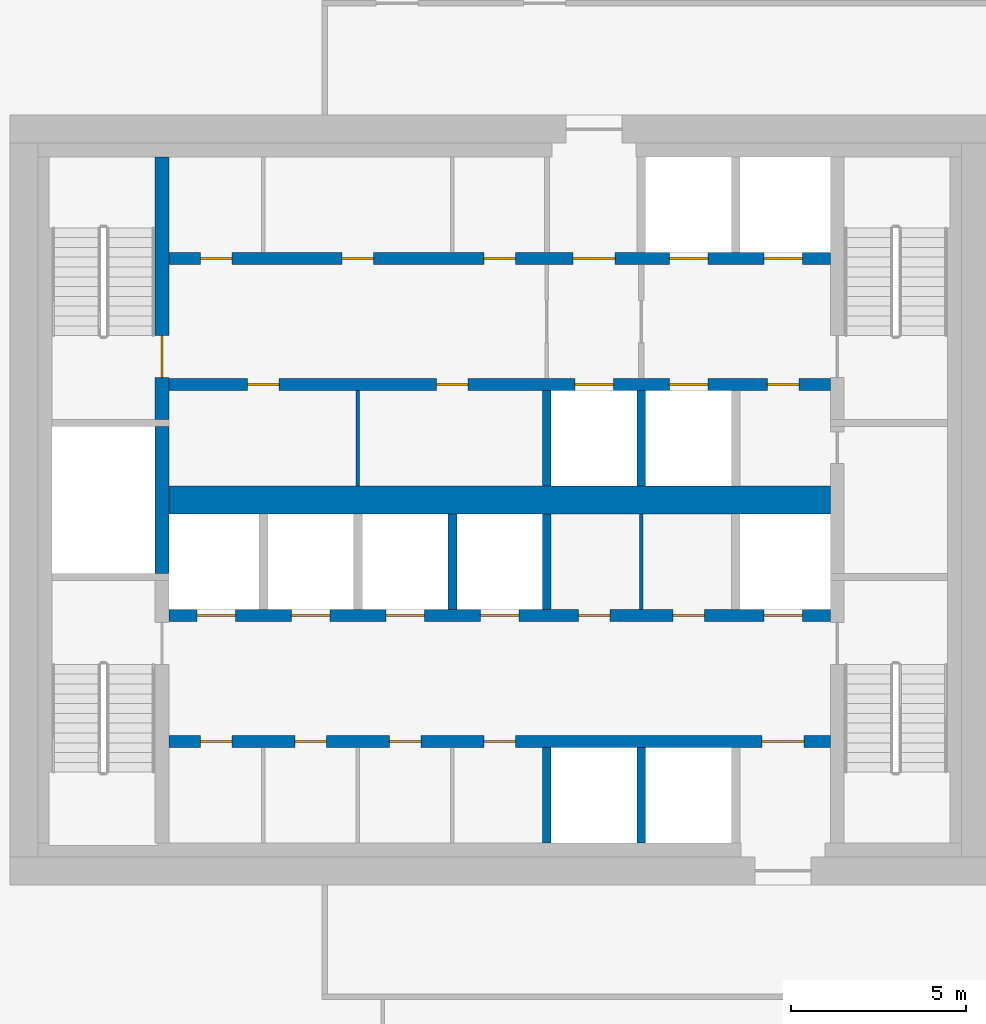
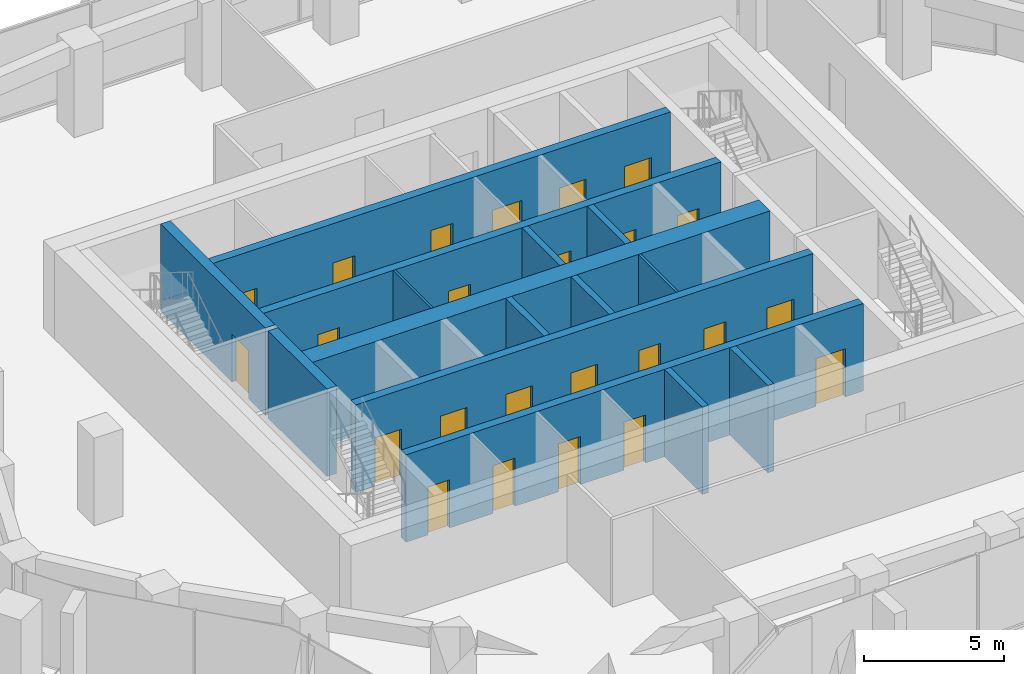
# One storey, part 12 of 19: 24 doors, 15 walls, 24 openings.
"""IFC4 building model written with IfcOpenShell, lengths in metres."""

import ifcopenshell
import ifcopenshell.guid

model = None  # the IFC model being written
_history = None  # IfcOwnerHistory: only IFC2X3 demands one
_inside = {}  # id of a spatial element -> (the spatial element, [elements in it])
_under = {}  # id of a project, library or spatial element -> (it, [spatial elements below it])
_declared = {}  # id of a project -> (the project, [libraries it declares])
_typed = {}  # id of a type object -> (the type object, [elements of that type])
_made_of = {}  # id of a material, layer set ... -> (it, [elements and type objects made of it])


def new_model(schema):
    """Start an empty IFC model of exactly this schema.

    Asked for "IFC4X3", IfcOpenShell would pick the latest addendum, in which some entities
    have other attributes; the version numbers below select the first issue.
    IFC2X3 requires an IfcOwnerHistory on every rooted entity: one is made here for all.
    """
    global model, _history
    if schema == "IFC4X3":
        model = ifcopenshell.file(schema_version=(4, 3, 0, 0))
    else:
        model = ifcopenshell.file(schema=schema)
    _inside.clear()
    _under.clear()
    _declared.clear()
    _typed.clear()
    _made_of.clear()
    _history = None
    if model.schema == "IFC2X3":
        org = make("IfcOrganization", Name="unknown")
        user = make(
            "IfcPersonAndOrganization",
            ThePerson=make("IfcPerson", FamilyName="unknown"),
            TheOrganization=org,
        )
        app = make(
            "IfcApplication",
            ApplicationDeveloper=org,
            Version="unknown",
            ApplicationFullName="unknown",
            ApplicationIdentifier="unknown",
        )
        _history = make(
            "IfcOwnerHistory",
            OwningUser=user,
            OwningApplication=app,
            ChangeAction="ADDED",
            CreationDate=0,
        )
    return model


def make(cls, **values):
    """One entity of the class cls with the attributes given. An attribute that is None is left unset."""
    return model.create_entity(
        cls, **{name: value for name, value in values.items() if value is not None}
    )


def rooted(cls, **values):
    """An entity with a GlobalId (a new one), such as an element, a storey or a relation."""
    return make(cls, GlobalId=ifcopenshell.guid.new(), OwnerHistory=_history, **values)


def si_unit(unit_type, name, prefix=None):
    """IfcSIUnit, for example si_unit("LENGTHUNIT", "METRE", prefix="MILLI")."""
    return make("IfcSIUnit", UnitType=unit_type, Prefix=prefix, Name=name)


def assignment(units):
    """IfcUnitAssignment: the units of a project."""
    return None if units is None else make("IfcUnitAssignment", Units=units)


def point(xyz):
    """IfcCartesianPoint."""
    return None if xyz is None else make("IfcCartesianPoint", Coordinates=xyz)


def direction(xyz):
    """IfcDirection."""
    return None if xyz is None else make("IfcDirection", DirectionRatios=xyz)


def frame(location, z_axis=None, x_axis=None):
    """IfcAxis2Placement3D, a coordinate frame: its origin and axes. An axis left out is left unset."""
    return make(
        "IfcAxis2Placement3D",
        Location=point(location),
        Axis=direction(z_axis),
        RefDirection=direction(x_axis),
    )


def frame_2d(location, x_axis=None):
    """IfcAxis2Placement2D, a coordinate frame in the plane: its origin and x axis."""
    return make(
        "IfcAxis2Placement2D", Location=point(location), RefDirection=direction(x_axis)
    )


def origin():
    """The frame at (0, 0, 0) with its axes left unset."""
    return frame((0.0, 0.0, 0.0))


def place(relative_to, where):
    """IfcLocalPlacement: puts the frame where relative to a parent placement (None: the world)."""
    return make(
        "IfcLocalPlacement", PlacementRelTo=relative_to, RelativePlacement=where
    )


def context(
    kind, dimensions, precision=None, world=None, true_north=None, identifier=None
):
    """IfcGeometricRepresentationContext, for example the 3D "Model" context."""
    return make(
        "IfcGeometricRepresentationContext",
        ContextIdentifier=identifier,
        ContextType=kind,
        CoordinateSpaceDimension=dimensions,
        Precision=precision,
        WorldCoordinateSystem=world,
        TrueNorth=true_north,
    )


def subcontext(parent, identifier, kind, view, scale=None):
    """IfcGeometricRepresentationSubContext, for example "Body" below "Model"."""
    return make(
        "IfcGeometricRepresentationSubContext",
        ContextIdentifier=identifier,
        ContextType=kind,
        ParentContext=parent,
        TargetScale=scale,
        TargetView=view,
    )


def project(units=None, contexts=None):
    """IfcProject with its units and contexts."""
    return rooted(
        "IfcProject",
        Name="project",
        RepresentationContexts=contexts,
        UnitsInContext=assignment(units),
    )


def spatial(cls, under=None, at=None, **own):
    """A site, building, storey or space (cls), placed at a placement, below another one or the project."""
    s = rooted(cls, ObjectPlacement=at, **own)
    if under is not None:
        _under.setdefault(under.id(), (under, []))[1].append(s)
    return s


def profile(cls, at=None, kind="AREA", **sizes):
    """A parametric profile (cls). Its sizes go by their IFC names, for example OverallWidth=200.0."""
    return make(cls, ProfileType=kind, Position=at, **sizes)


def rectangle(**sizes):
    """IfcRectangleProfileDef."""
    return profile("IfcRectangleProfileDef", **sizes)


def extrude(swept, where, along, depth):
    """IfcExtrudedAreaSolid: the profile swept, set in the frame where, extruded along a direction by depth."""
    return make(
        "IfcExtrudedAreaSolid",
        SweptArea=swept,
        Position=where,
        ExtrudedDirection=direction(along),
        Depth=depth,
    )


def shape(context_of_items, identifier, shape_type, items):
    """IfcShapeRepresentation: the items that make up one representation, for example the "Body"."""
    return make(
        "IfcShapeRepresentation",
        ContextOfItems=context_of_items,
        RepresentationIdentifier=identifier,
        RepresentationType=shape_type,
        Items=items,
    )


def material(Name=None, Category=None):
    """IfcMaterial."""
    return make("IfcMaterial", Name=Name, Category=Category)


def layer(
    of_material, thickness, ventilated=None, Name=None, Category=None, Priority=None
):
    """IfcMaterialLayer: one layer of a wall or slab, of a material (None: an air gap)."""
    return make(
        "IfcMaterialLayer",
        Material=of_material,
        LayerThickness=thickness,
        IsVentilated=ventilated,
        Name=Name,
        Category=Category,
        Priority=Priority,
    )


def layer_set(layers, Name=None):
    """IfcMaterialLayerSet."""
    return make("IfcMaterialLayerSet", MaterialLayers=layers, LayerSetName=Name)


def made_of(thing, what):
    """Note that an element or type object is made of a material, layer set ...; save() writes the relation."""
    if what is not None:
        _made_of.setdefault(what.id(), (what, []))[1].append(thing)
    return thing


def type_object(cls, material=None, **own):
    """A type object (cls), such as IfcWallType, which elements share."""
    return made_of(rooted(cls, **own), material)


def element(
    cls,
    number,
    at=None,
    inside=None,
    cuts=None,
    type_object=None,
    material=None,
    context=None,
    identifier="Body",
    shape_type=None,
    held_by="IfcProductDefinitionShape",
    body=None,
    shapes=None,
    **own,
):
    """One element of the class cls, such as IfcWall. Its Tag is "e" and its number.

    at: its placement. inside: the storey or other place that contains it. cuts: it is an
    opening in that element (IfcRelVoidsElement). A single representation is given by context,
    identifier, shape_type and body (its items); several are given by shapes. held_by: the class
    of the entity that holds the representations. save() writes the other relations.
    """
    e = rooted(cls, Tag="e%d" % number, ObjectPlacement=at, **own)
    if body is not None:
        shapes = [shape(context, identifier, shape_type, body)]
    if shapes is not None:
        e.Representation = make(held_by, Representations=shapes)
    if inside is not None:
        _inside.setdefault(inside.id(), (inside, []))[1].append(e)
    if cuts is not None:
        rooted(
            "IfcRelVoidsElement", RelatingBuildingElement=cuts, RelatedOpeningElement=e
        )
    if type_object is not None:
        _typed.setdefault(type_object.id(), (type_object, []))[1].append(e)
    return made_of(e, material)


def fill(opening, filler):
    """IfcRelFillsElement: the door or window that sits in an opening."""
    return rooted(
        "IfcRelFillsElement",
        RelatingOpeningElement=opening,
        RelatedBuildingElement=filler,
    )


def aggregate(whole, parts):
    """IfcRelAggregates: a whole, such as a stair, and the parts it consists of."""
    return rooted("IfcRelAggregates", RelatingObject=whole, RelatedObjects=parts)


def save(model, path):
    """Write the relations noted so far, then the file.

    IfcRelAggregates (storeys below a building ...), IfcRelContainedInSpatialStructure (elements
    in a storey), IfcRelDefinesByType, IfcRelAssociatesMaterial and IfcRelDeclares: one each for
    every whole, place, type object, material and project.
    """
    for whole, parts in _under.values():
        aggregate(whole, parts)
    for where, things in _inside.values():
        rooted(
            "IfcRelContainedInSpatialStructure",
            RelatedElements=things,
            RelatingStructure=where,
        )
    for kind, things in _typed.values():
        rooted("IfcRelDefinesByType", RelatedObjects=things, RelatingType=kind)
    for what, things in _made_of.values():
        rooted("IfcRelAssociatesMaterial", RelatedObjects=things, RelatingMaterial=what)
    for by, libraries in _declared.values():
        rooted("IfcRelDeclares", RelatingContext=by, RelatedDefinitions=libraries)
    model.write(path)


model = new_model("IFC4")

# Units and contexts
model_context = context("Model", 3, precision=1e-05, world=origin(), true_north=direction((0.0, 1.0)))
body_context = subcontext(model_context, "Body", "Model", "MODEL_VIEW")
ifc_project = project(units=[si_unit("LENGTHUNIT", "METRE"), si_unit("AREAUNIT", "SQUARE_METRE"), si_unit("VOLUMEUNIT", "CUBIC_METRE"), si_unit("PLANEANGLEUNIT", "RADIAN"), si_unit("MASSUNIT", "GRAM", prefix="KILO")], contexts=[model_context])

# Site, building, storey
site_placement = place(None, origin())
site = spatial("IfcSite", under=ifc_project, at=site_placement, CompositionType="ELEMENT")
building_placement = place(site_placement, origin())
building = spatial("IfcBuilding", under=site, at=building_placement, Name="Dongbaek Canopy Tower", CompositionType="ELEMENT")
storey_placement = place(building_placement, frame((0.0, 0.0, 198.800048828125)))
storey = spatial("IfcBuildingStorey", under=building, at=storey_placement, Name="L41", CompositionType="ELEMENT", Elevation=198.800048828125)

# Wall
ifc_material_1 = material(Name="Concrete C60/75", Category="concrete")
ifc_layer_1 = layer(ifc_material_1, 0.800048828125)
ifc_layer_set_1 = layer_set([ifc_layer_1], Name="Core central wall 800 Concrete C60/75")
wall_type_1 = type_object("IfcWallType", Name="Core central wall 800 Concrete C60/75", PredefinedType="SHEAR", material=ifc_layer_set_1)
wall_1_placement = place(storey_placement, frame((-9.449951171875, 0.0, 0.0), z_axis=(0.0, 0.0, 1.0), x_axis=(1.0, 0.0, 0.0)))
element("IfcWall", 1, at=wall_1_placement, inside=storey, type_object=wall_type_1, Name="Core wall", PredefinedType="SHEAR", context=body_context, shape_type="SweptSolid", body=[
    extrude(rectangle(XDim=18.89990234375, YDim=0.800048828125, at=frame_2d((9.449951171875, 0.0))), origin(), (0.0, 0.0, 1.0), 3.820068359375),
])

# Wall, openings, doors
ifc_material_2 = material(Name="Concrete C60/75", Category="concrete")
ifc_layer_2 = layer(ifc_material_2, 0.35009765625)
ifc_layer_set_2 = layer_set([ifc_layer_2], Name="Core lobby wall 350 Concrete C60/75")
wall_type_2 = type_object("IfcWallType", Name="Core lobby wall 350 Concrete C60/75", PredefinedType="SHEAR", material=ifc_layer_set_2)
wall_2_placement = place(storey_placement, frame((-9.449951171875, 6.89990234375, 0.0), z_axis=(0.0, 0.0, 1.0), x_axis=(1.0, 0.0, 0.0)))
wall_2 = element("IfcWall", 2, at=wall_2_placement, inside=storey, type_object=wall_type_2, Name="Core wall", PredefinedType="SHEAR", context=body_context, shape_type="SweptSolid", body=[
    extrude(rectangle(XDim=18.89990234375, YDim=0.35009765625, at=frame_2d((9.449951171875, 0.0))), origin(), (0.0, 0.0, 1.0), 3.820068359375),
])
opening_1_placement = place(wall_2_placement, frame((11.550048828125, 0.0, 0.0)))
opening_1 = element("IfcOpeningElement", 3, at=opening_1_placement, cuts=wall_2, Name="Opening L41-D007", PredefinedType="OPENING", context=body_context, shape_type="SweptSolid", body=[
    extrude(rectangle(XDim=1.199951171875, YDim=2.10009765625, at=frame_2d((0.60009765625, 1.050048828125))), frame((0.0, 0.18505859375, 0.0), z_axis=(0.0, -1.0, 0.0), x_axis=(1.0, 0.0, 0.0)), (0.0, 0.0, 1.0), 0.3701171875),
])
opening_2_placement = place(wall_2_placement, frame((14.300048828125, 0.0, 0.0)))
opening_2 = element("IfcOpeningElement", 4, at=opening_2_placement, cuts=wall_2, Name="Opening L41-D008", PredefinedType="OPENING", context=body_context, shape_type="SweptSolid", body=[
    extrude(rectangle(XDim=1.10009765625, YDim=2.10009765625, at=frame_2d((0.550048828125, 1.050048828125))), frame((0.0, 0.18505859375, 0.0), z_axis=(0.0, -1.0, 0.0), x_axis=(1.0, 0.0, 0.0)), (0.0, 0.0, 1.0), 0.3701171875),
])
opening_3_placement = place(wall_2_placement, frame((17.0, 0.0, 0.0)))
opening_3 = element("IfcOpeningElement", 5, at=opening_3_placement, cuts=wall_2, Name="Opening L41-D009", PredefinedType="OPENING", context=body_context, shape_type="SweptSolid", body=[
    extrude(rectangle(XDim=1.10009765625, YDim=2.10009765625, at=frame_2d((0.550048828125, 1.050048828125))), frame((0.0, 0.18505859375, 0.0), z_axis=(0.0, -1.0, 0.0), x_axis=(1.0, 0.0, 0.0)), (0.0, 0.0, 1.0), 0.3701171875),
])
opening_4_placement = place(wall_2_placement, frame((0.89990234375, 0.0, 0.0)))
opening_4 = element("IfcOpeningElement", 6, at=opening_4_placement, cuts=wall_2, Name="Opening L41-D020", PredefinedType="OPENING", context=body_context, shape_type="SweptSolid", body=[
    extrude(rectangle(XDim=0.89990234375, YDim=2.10009765625, at=frame_2d((0.449951171875, 1.050048828125))), frame((0.0, 0.18505859375, 0.0), z_axis=(0.0, -1.0, 0.0), x_axis=(1.0, 0.0, 0.0)), (0.0, 0.0, 1.0), 0.3701171875),
])
opening_5_placement = place(wall_2_placement, frame((4.949951171875, 0.0, 0.0)))
opening_5 = element("IfcOpeningElement", 7, at=opening_5_placement, cuts=wall_2, Name="Opening L41-D021", PredefinedType="OPENING", context=body_context, shape_type="SweptSolid", body=[
    extrude(rectangle(XDim=0.89990234375, YDim=2.10009765625, at=frame_2d((0.449951171875, 1.050048828125))), frame((0.0, 0.18505859375, 0.0), z_axis=(0.0, -1.0, 0.0), x_axis=(1.0, 0.0, 0.0)), (0.0, 0.0, 1.0), 0.3701171875),
])
opening_6_placement = place(wall_2_placement, frame((9.0, 0.0, 0.0)))
opening_6 = element("IfcOpeningElement", 8, at=opening_6_placement, cuts=wall_2, Name="Opening L41-D022", PredefinedType="OPENING", context=body_context, shape_type="SweptSolid", body=[
    extrude(rectangle(XDim=0.89990234375, YDim=2.10009765625, at=frame_2d((0.449951171875, 1.050048828125))), frame((0.0, 0.18505859375, 0.0), z_axis=(0.0, -1.0, 0.0), x_axis=(1.0, 0.0, 0.0)), (0.0, 0.0, 1.0), 0.3701171875),
])
ifc_material_3 = material(Name="Steel", Category="steel")
door_type_1 = type_object("IfcDoorType", Name="Core room door 900 x 2100", OperationType="SINGLE_SWING_LEFT", PredefinedType="DOOR", material=ifc_material_3)
door_1_placement = place(opening_4_placement, origin())
door_1 = element("IfcDoor", 9, at=door_1_placement, inside=storey, type_object=door_type_1, Name="Door L41-D020", OperationType="SINGLE_SWING_RIGHT", OverallHeight=2.10009765625, OverallWidth=0.89990234375, PredefinedType="DOOR", context=body_context, shape_type="SweptSolid", body=[
    extrude(rectangle(XDim=0.89990234375, YDim=2.10009765625, at=frame_2d((0.449951171875, 1.050048828125))), frame((0.0, 0.02490234375, 0.0), z_axis=(0.0, -1.0, 0.0), x_axis=(1.0, 0.0, 0.0)), (0.0, 0.0, 1.0), 0.050048828125),
])
fill(opening_4, door_1)
door_2_placement = place(opening_5_placement, origin())
door_2 = element("IfcDoor", 10, at=door_2_placement, inside=storey, type_object=door_type_1, Name="Door L41-D021", OperationType="SINGLE_SWING_LEFT", OverallHeight=2.10009765625, OverallWidth=0.89990234375, PredefinedType="DOOR", context=body_context, shape_type="SweptSolid", body=[
    extrude(rectangle(XDim=0.89990234375, YDim=2.10009765625, at=frame_2d((0.449951171875, 1.050048828125))), frame((0.0, 0.02490234375, 0.0), z_axis=(0.0, -1.0, 0.0), x_axis=(1.0, 0.0, 0.0)), (0.0, 0.0, 1.0), 0.050048828125),
])
fill(opening_5, door_2)
door_3_placement = place(opening_6_placement, origin())
door_3 = element("IfcDoor", 11, at=door_3_placement, inside=storey, type_object=door_type_1, Name="Door L41-D022", OperationType="SINGLE_SWING_RIGHT", OverallHeight=2.10009765625, OverallWidth=0.89990234375, PredefinedType="DOOR", context=body_context, shape_type="SweptSolid", body=[
    extrude(rectangle(XDim=0.89990234375, YDim=2.10009765625, at=frame_2d((0.449951171875, 1.050048828125))), frame((0.0, 0.02490234375, 0.0), z_axis=(0.0, -1.0, 0.0), x_axis=(1.0, 0.0, 0.0)), (0.0, 0.0, 1.0), 0.050048828125),
])
fill(opening_6, door_3)
ifc_material_4 = material(Name="Steel", Category="steel")
door_type_2 = type_object("IfcDoorType", Name="Fire lobby door 1200 x 2100", OperationType="SINGLE_SWING_LEFT", PredefinedType="DOOR", material=ifc_material_4)
door_4_placement = place(opening_1_placement, origin())
door_4 = element("IfcDoor", 12, at=door_4_placement, inside=storey, type_object=door_type_2, Name="Door L41-D007", OperationType="SINGLE_SWING_LEFT", OverallHeight=2.10009765625, OverallWidth=1.199951171875, PredefinedType="DOOR", context=body_context, shape_type="SweptSolid", body=[
    extrude(rectangle(XDim=1.199951171875, YDim=2.10009765625, at=frame_2d((0.60009765625, 1.050048828125))), frame((0.0, 0.02490234375, 0.0), z_axis=(0.0, -1.0, 0.0), x_axis=(1.0, 0.0, 0.0)), (0.0, 0.0, 1.0), 0.050048828125),
])
fill(opening_1, door_4)
ifc_material_5 = material(Name="Stainless steel", Category="steel")
door_type_3 = type_object("IfcDoorType", Name="Lift landing door 1100 x 2100", OperationType="DOUBLE_DOOR_SLIDING", PredefinedType="DOOR", material=ifc_material_5)
door_5_placement = place(opening_2_placement, origin())
door_5 = element("IfcDoor", 13, at=door_5_placement, inside=storey, type_object=door_type_3, Name="Landing door FF1", OperationType="DOUBLE_DOOR_SLIDING", OverallHeight=2.10009765625, OverallWidth=1.10009765625, PredefinedType="DOOR", context=body_context, shape_type="SweptSolid", body=[
    extrude(rectangle(XDim=1.10009765625, YDim=2.10009765625, at=frame_2d((0.550048828125, 1.050048828125))), frame((0.0, 0.02490234375, 0.0), z_axis=(0.0, -1.0, 0.0), x_axis=(1.0, 0.0, 0.0)), (0.0, 0.0, 1.0), 0.050048828125),
])
fill(opening_2, door_5)
door_6_placement = place(opening_3_placement, origin())
door_6 = element("IfcDoor", 14, at=door_6_placement, inside=storey, type_object=door_type_3, Name="Landing door FF2", OperationType="DOUBLE_DOOR_SLIDING", OverallHeight=2.10009765625, OverallWidth=1.10009765625, PredefinedType="DOOR", context=body_context, shape_type="SweptSolid", body=[
    extrude(rectangle(XDim=1.10009765625, YDim=2.10009765625, at=frame_2d((0.550048828125, 1.050048828125))), frame((0.0, 0.02490234375, 0.0), z_axis=(0.0, -1.0, 0.0), x_axis=(1.0, 0.0, 0.0)), (0.0, 0.0, 1.0), 0.050048828125),
])
fill(opening_3, door_6)

wall_3_placement = place(storey_placement, frame((9.449951171875, 3.300048828125, 0.0), z_axis=(0.0, 0.0, 1.0), x_axis=(-1.0, 0.0, 0.0)))
wall_3 = element("IfcWall", 15, at=wall_3_placement, inside=storey, type_object=wall_type_2, Name="Core wall", PredefinedType="SHEAR", context=body_context, shape_type="SweptSolid", body=[
    extrude(rectangle(XDim=18.89990234375, YDim=0.35009765625, at=frame_2d((9.449951171875, 0.0))), origin(), (0.0, 0.0, 1.0), 3.820068359375),
])
opening_7_placement = place(wall_3_placement, frame((6.199951171875, 0.0, 0.0)))
opening_7 = element("IfcOpeningElement", 16, at=opening_7_placement, cuts=wall_3, Name="Opening L41-D010", PredefinedType="OPENING", context=body_context, shape_type="SweptSolid", body=[
    extrude(rectangle(XDim=1.10009765625, YDim=2.10009765625, at=frame_2d((0.550048828125, 1.050048828125))), frame((0.0, 0.18505859375, 0.0), z_axis=(0.0, -1.0, 0.0), x_axis=(1.0, 0.0, 0.0)), (0.0, 0.0, 1.0), 0.3701171875),
])
opening_8_placement = place(wall_3_placement, frame((3.5, 0.0, 0.0)))
opening_8 = element("IfcOpeningElement", 17, at=opening_8_placement, cuts=wall_3, Name="Opening L41-D011", PredefinedType="OPENING", context=body_context, shape_type="SweptSolid", body=[
    extrude(rectangle(XDim=1.10009765625, YDim=2.10009765625, at=frame_2d((0.550048828125, 1.050048828125))), frame((0.0, 0.18505859375, 0.0), z_axis=(0.0, -1.0, 0.0), x_axis=(1.0, 0.0, 0.0)), (0.0, 0.0, 1.0), 0.3701171875),
])
opening_9_placement = place(wall_3_placement, frame((0.89990234375, 0.0, 0.0)))
opening_9 = element("IfcOpeningElement", 18, at=opening_9_placement, cuts=wall_3, Name="Opening L41-D012", PredefinedType="OPENING", context=body_context, shape_type="SweptSolid", body=[
    extrude(rectangle(XDim=0.89990234375, YDim=2.10009765625, at=frame_2d((0.449951171875, 1.050048828125))), frame((0.0, 0.18505859375, 0.0), z_axis=(0.0, -1.0, 0.0), x_axis=(1.0, 0.0, 0.0)), (0.0, 0.0, 1.0), 0.3701171875),
])
opening_10_placement = place(wall_3_placement, frame((15.75, 0.0, 0.0)))
opening_10 = element("IfcOpeningElement", 19, at=opening_10_placement, cuts=wall_3, Name="Opening L41-D023", PredefinedType="OPENING", context=body_context, shape_type="SweptSolid", body=[
    extrude(rectangle(XDim=0.89990234375, YDim=2.10009765625, at=frame_2d((0.449951171875, 1.050048828125))), frame((0.0, 0.18505859375, 0.0), z_axis=(0.0, -1.0, 0.0), x_axis=(1.0, 0.0, 0.0)), (0.0, 0.0, 1.0), 0.3701171875),
])
opening_11_placement = place(wall_3_placement, frame((10.35009765625, 0.0, 0.0)))
opening_11 = element("IfcOpeningElement", 20, at=opening_11_placement, cuts=wall_3, Name="Opening L41-D024", PredefinedType="OPENING", context=body_context, shape_type="SweptSolid", body=[
    extrude(rectangle(XDim=0.89990234375, YDim=2.10009765625, at=frame_2d((0.449951171875, 1.050048828125))), frame((0.0, 0.18505859375, 0.0), z_axis=(0.0, -1.0, 0.0), x_axis=(1.0, 0.0, 0.0)), (0.0, 0.0, 1.0), 0.3701171875),
])
door_7_placement = place(opening_9_placement, origin())
door_7 = element("IfcDoor", 21, at=door_7_placement, inside=storey, type_object=door_type_1, Name="Door L41-D012", OperationType="SINGLE_SWING_LEFT", OverallHeight=2.10009765625, OverallWidth=0.89990234375, PredefinedType="DOOR", context=body_context, shape_type="SweptSolid", body=[
    extrude(rectangle(XDim=0.89990234375, YDim=2.10009765625, at=frame_2d((0.449951171875, 1.050048828125))), frame((0.0, 0.02490234375, 0.0), z_axis=(0.0, -1.0, 0.0), x_axis=(1.0, 0.0, 0.0)), (0.0, 0.0, 1.0), 0.050048828125),
])
fill(opening_9, door_7)
door_8_placement = place(opening_10_placement, origin())
door_8 = element("IfcDoor", 22, at=door_8_placement, inside=storey, type_object=door_type_1, Name="Door L41-D023", OperationType="SINGLE_SWING_LEFT", OverallHeight=2.10009765625, OverallWidth=0.89990234375, PredefinedType="DOOR", context=body_context, shape_type="SweptSolid", body=[
    extrude(rectangle(XDim=0.89990234375, YDim=2.10009765625, at=frame_2d((0.449951171875, 1.050048828125))), frame((0.0, 0.02490234375, 0.0), z_axis=(0.0, -1.0, 0.0), x_axis=(1.0, 0.0, 0.0)), (0.0, 0.0, 1.0), 0.050048828125),
])
fill(opening_10, door_8)
door_9_placement = place(opening_11_placement, origin())
door_9 = element("IfcDoor", 23, at=door_9_placement, inside=storey, type_object=door_type_1, Name="Door L41-D024", OperationType="SINGLE_SWING_RIGHT", OverallHeight=2.10009765625, OverallWidth=0.89990234375, PredefinedType="DOOR", context=body_context, shape_type="SweptSolid", body=[
    extrude(rectangle(XDim=0.89990234375, YDim=2.10009765625, at=frame_2d((0.449951171875, 1.050048828125))), frame((0.0, 0.02490234375, 0.0), z_axis=(0.0, -1.0, 0.0), x_axis=(1.0, 0.0, 0.0)), (0.0, 0.0, 1.0), 0.050048828125),
])
fill(opening_11, door_9)
door_10_placement = place(opening_7_placement, origin())
door_10 = element("IfcDoor", 24, at=door_10_placement, inside=storey, type_object=door_type_3, Name="Landing door SV1", OperationType="DOUBLE_DOOR_SLIDING", OverallHeight=2.10009765625, OverallWidth=1.10009765625, PredefinedType="DOOR", context=body_context, shape_type="SweptSolid", body=[
    extrude(rectangle(XDim=1.10009765625, YDim=2.10009765625, at=frame_2d((0.550048828125, 1.050048828125))), frame((0.0, 0.02490234375, 0.0), z_axis=(0.0, -1.0, 0.0), x_axis=(1.0, 0.0, 0.0)), (0.0, 0.0, 1.0), 0.050048828125),
])
fill(opening_7, door_10)
door_11_placement = place(opening_8_placement, origin())
door_11 = element("IfcDoor", 25, at=door_11_placement, inside=storey, type_object=door_type_3, Name="Landing door FF3", OperationType="DOUBLE_DOOR_SLIDING", OverallHeight=2.10009765625, OverallWidth=1.10009765625, PredefinedType="DOOR", context=body_context, shape_type="SweptSolid", body=[
    extrude(rectangle(XDim=1.10009765625, YDim=2.10009765625, at=frame_2d((0.550048828125, 1.050048828125))), frame((0.0, 0.02490234375, 0.0), z_axis=(0.0, -1.0, 0.0), x_axis=(1.0, 0.0, 0.0)), (0.0, 0.0, 1.0), 0.050048828125),
])
fill(opening_8, door_11)

wall_4_placement = place(storey_placement, frame((-9.449951171875, -3.300048828125, 0.0), z_axis=(0.0, 0.0, 1.0), x_axis=(1.0, 0.0, 0.0)))
wall_4 = element("IfcWall", 26, at=wall_4_placement, inside=storey, type_object=wall_type_2, Name="Core wall", PredefinedType="SHEAR", context=body_context, shape_type="SweptSolid", body=[
    extrude(rectangle(XDim=18.89990234375, YDim=0.35009765625, at=frame_2d((9.449951171875, 0.0))), origin(), (0.0, 0.0, 1.0), 3.820068359375),
])
opening_12_placement = place(wall_4_placement, frame((0.800048828125, 0.0, 0.0)))
opening_12 = element("IfcOpeningElement", 27, at=opening_12_placement, cuts=wall_4, Name="Opening L41-D013", PredefinedType="OPENING", context=body_context, shape_type="SweptSolid", body=[
    extrude(rectangle(XDim=1.10009765625, YDim=2.10009765625, at=frame_2d((0.550048828125, 1.050048828125))), frame((0.0, 0.18505859375, 0.0), z_axis=(0.0, -1.0, 0.0), x_axis=(1.0, 0.0, 0.0)), (0.0, 0.0, 1.0), 0.3701171875),
])
opening_13_placement = place(wall_4_placement, frame((3.5, 0.0, 0.0)))
opening_13 = element("IfcOpeningElement", 28, at=opening_13_placement, cuts=wall_4, Name="Opening L41-D014", PredefinedType="OPENING", context=body_context, shape_type="SweptSolid", body=[
    extrude(rectangle(XDim=1.10009765625, YDim=2.10009765625, at=frame_2d((0.550048828125, 1.050048828125))), frame((0.0, 0.18505859375, 0.0), z_axis=(0.0, -1.0, 0.0), x_axis=(1.0, 0.0, 0.0)), (0.0, 0.0, 1.0), 0.3701171875),
])
opening_14_placement = place(wall_4_placement, frame((6.199951171875, 0.0, 0.0)))
opening_14 = element("IfcOpeningElement", 29, at=opening_14_placement, cuts=wall_4, Name="Opening L41-D015", PredefinedType="OPENING", context=body_context, shape_type="SweptSolid", body=[
    extrude(rectangle(XDim=1.10009765625, YDim=2.10009765625, at=frame_2d((0.550048828125, 1.050048828125))), frame((0.0, 0.18505859375, 0.0), z_axis=(0.0, -1.0, 0.0), x_axis=(1.0, 0.0, 0.0)), (0.0, 0.0, 1.0), 0.3701171875),
])
opening_15_placement = place(wall_4_placement, frame((8.89990234375, 0.0, 0.0)))
opening_15 = element("IfcOpeningElement", 30, at=opening_15_placement, cuts=wall_4, Name="Opening L41-D016", PredefinedType="OPENING", context=body_context, shape_type="SweptSolid", body=[
    extrude(rectangle(XDim=1.10009765625, YDim=2.10009765625, at=frame_2d((0.550048828125, 1.050048828125))), frame((0.0, 0.18505859375, 0.0), z_axis=(0.0, -1.0, 0.0), x_axis=(1.0, 0.0, 0.0)), (0.0, 0.0, 1.0), 0.3701171875),
])
opening_16_placement = place(wall_4_placement, frame((17.0, 0.0, 0.0)))
opening_16 = element("IfcOpeningElement", 31, at=opening_16_placement, cuts=wall_4, Name="Opening L41-D017", PredefinedType="OPENING", context=body_context, shape_type="SweptSolid", body=[
    extrude(rectangle(XDim=1.10009765625, YDim=2.10009765625, at=frame_2d((0.550048828125, 1.050048828125))), frame((0.0, 0.18505859375, 0.0), z_axis=(0.0, -1.0, 0.0), x_axis=(1.0, 0.0, 0.0)), (0.0, 0.0, 1.0), 0.3701171875),
])
opening_17_placement = place(wall_4_placement, frame((11.699951171875, 0.0, 0.0)))
opening_17 = element("IfcOpeningElement", 32, at=opening_17_placement, cuts=wall_4, Name="Opening L41-D025", PredefinedType="OPENING", context=body_context, shape_type="SweptSolid", body=[
    extrude(rectangle(XDim=0.89990234375, YDim=2.10009765625, at=frame_2d((0.449951171875, 1.050048828125))), frame((0.0, 0.18505859375, 0.0), z_axis=(0.0, -1.0, 0.0), x_axis=(1.0, 0.0, 0.0)), (0.0, 0.0, 1.0), 0.3701171875),
])
opening_18_placement = place(wall_4_placement, frame((14.39990234375, 0.0, 0.0)))
opening_18 = element("IfcOpeningElement", 33, at=opening_18_placement, cuts=wall_4, Name="Opening L41-D026", PredefinedType="OPENING", context=body_context, shape_type="SweptSolid", body=[
    extrude(rectangle(XDim=0.89990234375, YDim=2.10009765625, at=frame_2d((0.449951171875, 1.050048828125))), frame((0.0, 0.18505859375, 0.0), z_axis=(0.0, -1.0, 0.0), x_axis=(1.0, 0.0, 0.0)), (0.0, 0.0, 1.0), 0.3701171875),
])
door_12_placement = place(opening_17_placement, origin())
door_12 = element("IfcDoor", 34, at=door_12_placement, inside=storey, type_object=door_type_1, Name="Door L41-D025", OperationType="SINGLE_SWING_LEFT", OverallHeight=2.10009765625, OverallWidth=0.89990234375, PredefinedType="DOOR", context=body_context, shape_type="SweptSolid", body=[
    extrude(rectangle(XDim=0.89990234375, YDim=2.10009765625, at=frame_2d((0.449951171875, 1.050048828125))), frame((0.0, 0.02490234375, 0.0), z_axis=(0.0, -1.0, 0.0), x_axis=(1.0, 0.0, 0.0)), (0.0, 0.0, 1.0), 0.050048828125),
])
fill(opening_17, door_12)
door_13_placement = place(opening_18_placement, origin())
door_13 = element("IfcDoor", 35, at=door_13_placement, inside=storey, type_object=door_type_1, Name="Door L41-D026", OperationType="SINGLE_SWING_RIGHT", OverallHeight=2.10009765625, OverallWidth=0.89990234375, PredefinedType="DOOR", context=body_context, shape_type="SweptSolid", body=[
    extrude(rectangle(XDim=0.89990234375, YDim=2.10009765625, at=frame_2d((0.449951171875, 1.050048828125))), frame((0.0, 0.02490234375, 0.0), z_axis=(0.0, -1.0, 0.0), x_axis=(1.0, 0.0, 0.0)), (0.0, 0.0, 1.0), 0.050048828125),
])
fill(opening_18, door_13)
door_14_placement = place(opening_12_placement, origin())
door_14 = element("IfcDoor", 36, at=door_14_placement, inside=storey, type_object=door_type_3, Name="Landing door MR1", OperationType="DOUBLE_DOOR_SLIDING", OverallHeight=2.10009765625, OverallWidth=1.10009765625, PredefinedType="DOOR", context=body_context, shape_type="SweptSolid", body=[
    extrude(rectangle(XDim=1.10009765625, YDim=2.10009765625, at=frame_2d((0.550048828125, 1.050048828125))), frame((0.0, 0.02490234375, 0.0), z_axis=(0.0, -1.0, 0.0), x_axis=(1.0, 0.0, 0.0)), (0.0, 0.0, 1.0), 0.050048828125),
])
fill(opening_12, door_14)
door_15_placement = place(opening_13_placement, origin())
door_15 = element("IfcDoor", 37, at=door_15_placement, inside=storey, type_object=door_type_3, Name="Landing door MR2", OperationType="DOUBLE_DOOR_SLIDING", OverallHeight=2.10009765625, OverallWidth=1.10009765625, PredefinedType="DOOR", context=body_context, shape_type="SweptSolid", body=[
    extrude(rectangle(XDim=1.10009765625, YDim=2.10009765625, at=frame_2d((0.550048828125, 1.050048828125))), frame((0.0, 0.02490234375, 0.0), z_axis=(0.0, -1.0, 0.0), x_axis=(1.0, 0.0, 0.0)), (0.0, 0.0, 1.0), 0.050048828125),
])
fill(opening_13, door_15)
door_16_placement = place(opening_14_placement, origin())
door_16 = element("IfcDoor", 38, at=door_16_placement, inside=storey, type_object=door_type_3, Name="Landing door MR3", OperationType="DOUBLE_DOOR_SLIDING", OverallHeight=2.10009765625, OverallWidth=1.10009765625, PredefinedType="DOOR", context=body_context, shape_type="SweptSolid", body=[
    extrude(rectangle(XDim=1.10009765625, YDim=2.10009765625, at=frame_2d((0.550048828125, 1.050048828125))), frame((0.0, 0.02490234375, 0.0), z_axis=(0.0, -1.0, 0.0), x_axis=(1.0, 0.0, 0.0)), (0.0, 0.0, 1.0), 0.050048828125),
])
fill(opening_14, door_16)
door_17_placement = place(opening_15_placement, origin())
door_17 = element("IfcDoor", 39, at=door_17_placement, inside=storey, type_object=door_type_3, Name="Landing door MR4", OperationType="DOUBLE_DOOR_SLIDING", OverallHeight=2.10009765625, OverallWidth=1.10009765625, PredefinedType="DOOR", context=body_context, shape_type="SweptSolid", body=[
    extrude(rectangle(XDim=1.10009765625, YDim=2.10009765625, at=frame_2d((0.550048828125, 1.050048828125))), frame((0.0, 0.02490234375, 0.0), z_axis=(0.0, -1.0, 0.0), x_axis=(1.0, 0.0, 0.0)), (0.0, 0.0, 1.0), 0.050048828125),
])
fill(opening_15, door_17)
door_18_placement = place(opening_16_placement, origin())
door_18 = element("IfcDoor", 40, at=door_18_placement, inside=storey, type_object=door_type_3, Name="Landing door SV2", OperationType="DOUBLE_DOOR_SLIDING", OverallHeight=2.10009765625, OverallWidth=1.10009765625, PredefinedType="DOOR", context=body_context, shape_type="SweptSolid", body=[
    extrude(rectangle(XDim=1.10009765625, YDim=2.10009765625, at=frame_2d((0.550048828125, 1.050048828125))), frame((0.0, 0.02490234375, 0.0), z_axis=(0.0, -1.0, 0.0), x_axis=(1.0, 0.0, 0.0)), (0.0, 0.0, 1.0), 0.050048828125),
])
fill(opening_16, door_18)

wall_5_placement = place(storey_placement, frame((9.449951171875, -6.89990234375, 0.0), z_axis=(0.0, 0.0, 1.0), x_axis=(-1.0, 0.0, 0.0)))
wall_5 = element("IfcWall", 41, at=wall_5_placement, inside=storey, type_object=wall_type_2, Name="Core wall", PredefinedType="SHEAR", context=body_context, shape_type="SweptSolid", body=[
    extrude(rectangle(XDim=18.89990234375, YDim=0.35009765625, at=frame_2d((9.449951171875, 0.0))), origin(), (0.0, 0.0, 1.0), 3.820068359375),
])
opening_19_placement = place(wall_5_placement, frame((0.75, 0.0, 0.0)))
opening_19 = element("IfcOpeningElement", 42, at=opening_19_placement, cuts=wall_5, Name="Opening L41-D019", PredefinedType="OPENING", context=body_context, shape_type="SweptSolid", body=[
    extrude(rectangle(XDim=1.199951171875, YDim=2.10009765625, at=frame_2d((0.60009765625, 1.050048828125))), frame((0.0, 0.18505859375, 0.0), z_axis=(0.0, -1.0, 0.0), x_axis=(1.0, 0.0, 0.0)), (0.0, 0.0, 1.0), 0.3701171875),
])
opening_20_placement = place(wall_5_placement, frame((17.10009765625, 0.0, 0.0)))
opening_20 = element("IfcOpeningElement", 43, at=opening_20_placement, cuts=wall_5, Name="Opening L41-D027", PredefinedType="OPENING", context=body_context, shape_type="SweptSolid", body=[
    extrude(rectangle(XDim=0.89990234375, YDim=2.10009765625, at=frame_2d((0.449951171875, 1.050048828125))), frame((0.0, 0.18505859375, 0.0), z_axis=(0.0, -1.0, 0.0), x_axis=(1.0, 0.0, 0.0)), (0.0, 0.0, 1.0), 0.3701171875),
])
opening_21_placement = place(wall_5_placement, frame((14.39990234375, 0.0, 0.0)))
opening_21 = element("IfcOpeningElement", 44, at=opening_21_placement, cuts=wall_5, Name="Opening L41-D028", PredefinedType="OPENING", context=body_context, shape_type="SweptSolid", body=[
    extrude(rectangle(XDim=0.89990234375, YDim=2.10009765625, at=frame_2d((0.449951171875, 1.050048828125))), frame((0.0, 0.18505859375, 0.0), z_axis=(0.0, -1.0, 0.0), x_axis=(1.0, 0.0, 0.0)), (0.0, 0.0, 1.0), 0.3701171875),
])
opening_22_placement = place(wall_5_placement, frame((11.699951171875, 0.0, 0.0)))
opening_22 = element("IfcOpeningElement", 45, at=opening_22_placement, cuts=wall_5, Name="Opening L41-D029", PredefinedType="OPENING", context=body_context, shape_type="SweptSolid", body=[
    extrude(rectangle(XDim=0.89990234375, YDim=2.10009765625, at=frame_2d((0.449951171875, 1.050048828125))), frame((0.0, 0.18505859375, 0.0), z_axis=(0.0, -1.0, 0.0), x_axis=(1.0, 0.0, 0.0)), (0.0, 0.0, 1.0), 0.3701171875),
])
opening_23_placement = place(wall_5_placement, frame((9.0, 0.0, 0.0)))
opening_23 = element("IfcOpeningElement", 46, at=opening_23_placement, cuts=wall_5, Name="Opening L41-D030", PredefinedType="OPENING", context=body_context, shape_type="SweptSolid", body=[
    extrude(rectangle(XDim=0.89990234375, YDim=2.10009765625, at=frame_2d((0.449951171875, 1.050048828125))), frame((0.0, 0.18505859375, 0.0), z_axis=(0.0, -1.0, 0.0), x_axis=(1.0, 0.0, 0.0)), (0.0, 0.0, 1.0), 0.3701171875),
])
door_19_placement = place(opening_20_placement, origin())
door_19 = element("IfcDoor", 47, at=door_19_placement, inside=storey, type_object=door_type_1, Name="Door L41-D027", OperationType="SINGLE_SWING_LEFT", OverallHeight=2.10009765625, OverallWidth=0.89990234375, PredefinedType="DOOR", context=body_context, shape_type="SweptSolid", body=[
    extrude(rectangle(XDim=0.89990234375, YDim=2.10009765625, at=frame_2d((0.449951171875, 1.050048828125))), frame((0.0, 0.02490234375, 0.0), z_axis=(0.0, -1.0, 0.0), x_axis=(1.0, 0.0, 0.0)), (0.0, 0.0, 1.0), 0.050048828125),
])
fill(opening_20, door_19)
door_20_placement = place(opening_21_placement, origin())
door_20 = element("IfcDoor", 48, at=door_20_placement, inside=storey, type_object=door_type_1, Name="Door L41-D028", OperationType="SINGLE_SWING_RIGHT", OverallHeight=2.10009765625, OverallWidth=0.89990234375, PredefinedType="DOOR", context=body_context, shape_type="SweptSolid", body=[
    extrude(rectangle(XDim=0.89990234375, YDim=2.10009765625, at=frame_2d((0.449951171875, 1.050048828125))), frame((0.0, 0.02490234375, 0.0), z_axis=(0.0, -1.0, 0.0), x_axis=(1.0, 0.0, 0.0)), (0.0, 0.0, 1.0), 0.050048828125),
])
fill(opening_21, door_20)
door_21_placement = place(opening_22_placement, origin())
door_21 = element("IfcDoor", 49, at=door_21_placement, inside=storey, type_object=door_type_1, Name="Door L41-D029", OperationType="SINGLE_SWING_LEFT", OverallHeight=2.10009765625, OverallWidth=0.89990234375, PredefinedType="DOOR", context=body_context, shape_type="SweptSolid", body=[
    extrude(rectangle(XDim=0.89990234375, YDim=2.10009765625, at=frame_2d((0.449951171875, 1.050048828125))), frame((0.0, 0.02490234375, 0.0), z_axis=(0.0, -1.0, 0.0), x_axis=(1.0, 0.0, 0.0)), (0.0, 0.0, 1.0), 0.050048828125),
])
fill(opening_22, door_21)
door_22_placement = place(opening_23_placement, origin())
door_22 = element("IfcDoor", 50, at=door_22_placement, inside=storey, type_object=door_type_1, Name="Door L41-D030", OperationType="SINGLE_SWING_RIGHT", OverallHeight=2.10009765625, OverallWidth=0.89990234375, PredefinedType="DOOR", context=body_context, shape_type="SweptSolid", body=[
    extrude(rectangle(XDim=0.89990234375, YDim=2.10009765625, at=frame_2d((0.449951171875, 1.050048828125))), frame((0.0, 0.02490234375, 0.0), z_axis=(0.0, -1.0, 0.0), x_axis=(1.0, 0.0, 0.0)), (0.0, 0.0, 1.0), 0.050048828125),
])
fill(opening_23, door_22)
door_23_placement = place(opening_19_placement, origin())
door_23 = element("IfcDoor", 51, at=door_23_placement, inside=storey, type_object=door_type_2, Name="Door L41-D019", OperationType="SINGLE_SWING_LEFT", OverallHeight=2.10009765625, OverallWidth=1.199951171875, PredefinedType="DOOR", context=body_context, shape_type="SweptSolid", body=[
    extrude(rectangle(XDim=1.199951171875, YDim=2.10009765625, at=frame_2d((0.60009765625, 1.050048828125))), frame((0.0, 0.02490234375, 0.0), z_axis=(0.0, -1.0, 0.0), x_axis=(1.0, 0.0, 0.0)), (0.0, 0.0, 1.0), 0.050048828125),
])
fill(opening_19, door_23)

# Walls
ifc_material_6 = material(Name="Concrete C40/50", Category="concrete")
ifc_layer_3 = layer(ifc_material_6, 0.25)
ifc_layer_set_3 = layer_set([ifc_layer_3], Name="Lift shaft wall 250 Concrete C40/50")
wall_type_3 = type_object("IfcWallType", Name="Lift shaft wall 250 Concrete C40/50", PredefinedType="SOLIDWALL", material=ifc_layer_set_3)
for number, where, z_axis, x_axis, name in (
    (52, (4.050048828125, -9.800048828125, 0.0), (0.0, 0.0, 1.0), (0.0, 1.0, 0.0), "Lift shaft wall"),
    (53, (4.050048828125, 0.39990234375, 0.0), (0.0, 0.0, 1.0), (0.0, 1.0, 0.0), "Lift shaft wall"),
    (54, (1.35009765625, -9.800048828125, 0.0), (0.0, 0.0, 1.0), (0.0, 1.0, 0.0), "Lift shaft wall"),
    (55, (1.35009765625, -3.125, 0.0), (0.0, 0.0, 1.0), (0.0, 1.0, 0.0), "Lift shaft wall"),
    (56, (1.35009765625, 0.39990234375, 0.0), (0.0, 0.0, 1.0), (0.0, 1.0, 0.0), "Lift shaft wall"),
    (57, (-1.35009765625, -3.125, 0.0), (0.0, 0.0, 1.0), (0.0, 1.0, 0.0), "Lift shaft wall"),
):
    element("IfcWall", number, at=place(storey_placement, frame(where, z_axis=z_axis, x_axis=x_axis)), inside=storey, type_object=wall_type_3, Name=name, PredefinedType="SOLIDWALL", context=body_context, shape_type="SweptSolid", body=[
        extrude(rectangle(XDim=2.72509765625, YDim=0.25, at=frame_2d((1.362548828125, 0.0))), origin(), (0.0, 0.0, 1.0), 3.820068359375),
    ])
ifc_material_7 = material(Name="Gypsum board partition, steel stud, 2 x 12.5 mm board", Category="steel")
ifc_layer_4 = layer(ifc_material_7, 0.10009765625)
ifc_layer_set_4 = layer_set([ifc_layer_4], Name="Partition 100 gypsum board")
wall_type_4 = type_object("IfcWallType", Name="Partition 100 gypsum board", PredefinedType="PARTITIONING", material=ifc_layer_set_4)
for number, where, z_axis, x_axis, name in (
    (58, (4.050048828125, -3.125, 0.0), (0.0, 0.0, 1.0), (0.0, 1.0, 0.0), "Core partition"),
    (59, (-4.050048828125, 0.39990234375, 0.0), (0.0, 0.0, 1.0), (0.0, 1.0, 0.0), "Core partition"),
):
    element("IfcWall", number, at=place(storey_placement, frame(where, z_axis=z_axis, x_axis=x_axis)), inside=storey, type_object=wall_type_4, Name=name, PredefinedType="PARTITIONING", context=body_context, shape_type="SweptSolid", body=[
        extrude(rectangle(XDim=2.72509765625, YDim=0.10009765625, at=frame_2d((1.362548828125, 0.0))), origin(), (0.0, 0.0, 1.0), 3.820068359375),
    ])
ifc_material_8 = material(Name="Concrete C60/75", Category="concrete")
ifc_layer_5 = layer(ifc_material_8, 0.39990234375)
ifc_layer_set_5 = layer_set([ifc_layer_5], Name="Stair wall 400 Concrete C60/75")
wall_type_5 = type_object("IfcWallType", Name="Stair wall 400 Concrete C60/75", PredefinedType="SHEAR", material=ifc_layer_set_5)
wall_6_placement = place(storey_placement, frame((-9.64990234375, -2.10009765625, 0.0), z_axis=(0.0, 0.0, 1.0), x_axis=(0.0, 1.0, 0.0)))
element("IfcWall", 60, at=wall_6_placement, inside=storey, type_object=wall_type_5, Name="Stair wall", PredefinedType="SHEAR", context=body_context, shape_type="SweptSolid", body=[
    extrude(rectangle(XDim=4.2001953125, YDim=0.39990234375, at=frame_2d((2.10009765625, 0.0))), origin(), (0.0, 0.0, 1.0), 3.820068359375),
])

# Wall, opening, door
wall_7_placement = place(storey_placement, frame((-9.64990234375, 2.300048828125, 0.0), z_axis=(0.0, 0.0, 1.0), x_axis=(0.0, 1.0, 0.0)))
wall_7 = element("IfcWall", 61, at=wall_7_placement, inside=storey, type_object=wall_type_5, Name="Stair wall", PredefinedType="SHEAR", context=body_context, shape_type="SweptSolid", body=[
    extrude(rectangle(XDim=7.5, YDim=0.39990234375, at=frame_2d((3.75, 0.0))), origin(), (0.0, 0.0, 1.0), 3.820068359375),
])
opening_24_placement = place(wall_7_placement, frame((1.199951171875, 0.0, 0.0)))
opening_24 = element("IfcOpeningElement", 62, at=opening_24_placement, cuts=wall_7, Name="Opening L41-D032", PredefinedType="OPENING", context=body_context, shape_type="SweptSolid", body=[
    extrude(rectangle(XDim=1.199951171875, YDim=2.10009765625, at=frame_2d((0.60009765625, 1.050048828125))), frame((0.0, 0.2099609375, 0.0), z_axis=(0.0, -1.0, 0.0), x_axis=(1.0, 0.0, 0.0)), (0.0, 0.0, 1.0), 0.419921875),
])
ifc_material_9 = material(Name="Steel", Category="steel")
door_type_4 = type_object("IfcDoorType", Name="Stair door 1200 x 2100", OperationType="SINGLE_SWING_LEFT", PredefinedType="DOOR", material=ifc_material_9)
door_24_placement = place(opening_24_placement, origin())
door_24 = element("IfcDoor", 63, at=door_24_placement, inside=storey, type_object=door_type_4, Name="Stair C door", OperationType="SINGLE_SWING_RIGHT", OverallHeight=2.10009765625, OverallWidth=1.199951171875, PredefinedType="DOOR", context=body_context, shape_type="SweptSolid", body=[
    extrude(rectangle(XDim=1.199951171875, YDim=2.10009765625, at=frame_2d((0.60009765625, 1.050048828125))), frame((0.0, 0.02490234375, 0.0), z_axis=(0.0, -1.0, 0.0), x_axis=(1.0, 0.0, 0.0)), (0.0, 0.0, 1.0), 0.050048828125),
])
fill(opening_24, door_24)

save(model, "model.ifc")
